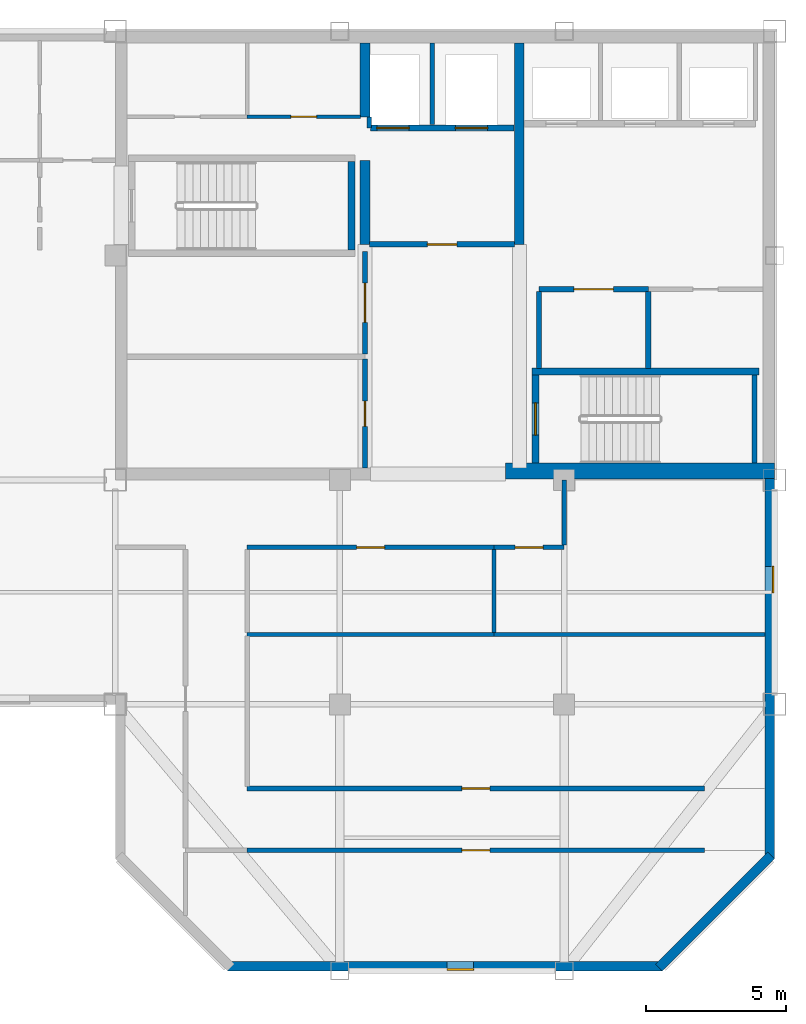
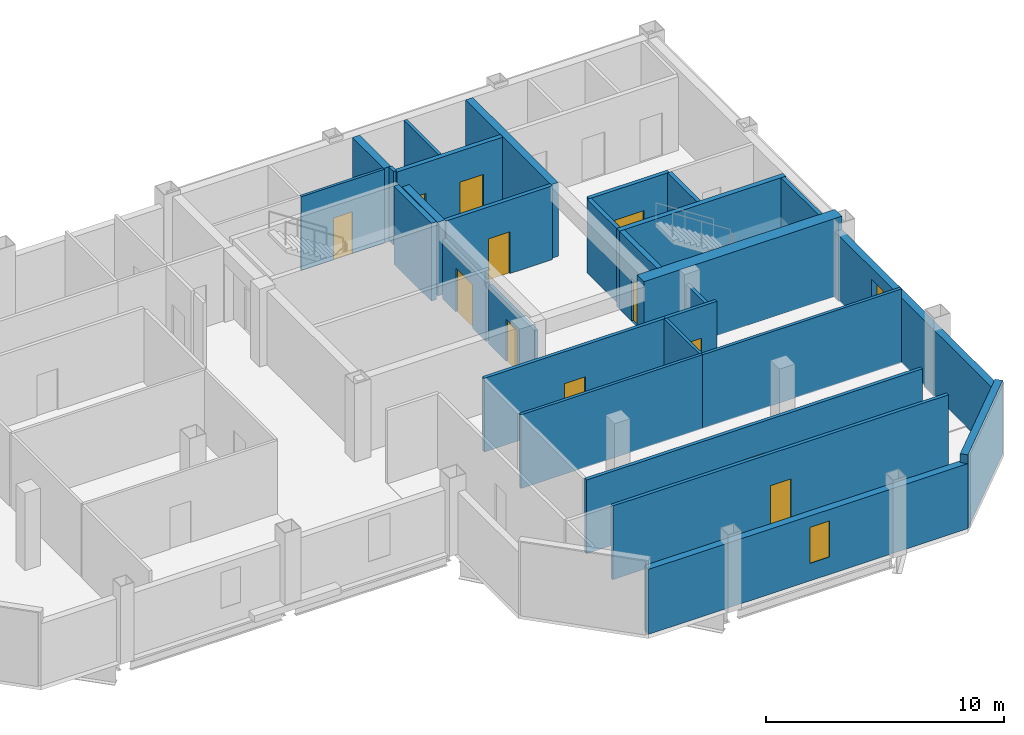
# One storey, part 3 of 7: 29 walls, 12 doors, 2 windows, 14 openings.
"""IFC4 building model written with IfcOpenShell, lengths in metres."""

from ifc_helpers import new_model, si_unit, direction, frame, frame_2d, origin, place, context, subcontext, project, spatial, rectangle, extrude, material, layer, layer_set, type_object, element, fill, save


model = new_model("IFC4")

# Units and contexts
model_context = context("Model", 3, precision=1e-05, world=origin(), true_north=direction((0.0, 1.0)))
body_context = subcontext(model_context, "Body", "Model", "MODEL_VIEW")
ifc_project = project(units=[si_unit("LENGTHUNIT", "METRE"), si_unit("AREAUNIT", "SQUARE_METRE"), si_unit("VOLUMEUNIT", "CUBIC_METRE"), si_unit("PLANEANGLEUNIT", "RADIAN"), si_unit("MASSUNIT", "GRAM", prefix="KILO")], contexts=[model_context])

# Site, building, storey
site_placement = place(None, origin())
site = spatial("IfcSite", under=ifc_project, at=site_placement, CompositionType="ELEMENT")
building_placement = place(site_placement, origin())
building = spatial("IfcBuilding", under=site, at=building_placement, Name="Qianrong Seaharbour Tower", CompositionType="ELEMENT")
storey_placement = place(building_placement, frame((0.0, 0.0, 347.199951171875)))
storey = spatial("IfcBuildingStorey", under=building, at=storey_placement, Name="L84", CompositionType="ELEMENT", Elevation=347.199951171875)

# Walls
ifc_material_1 = material(Name="Concrete C70/85", Category="concrete")
ifc_layer_1 = layer(ifc_material_1, 0.580078125)
ifc_layer_set_1 = layer_set([ifc_layer_1], Name="Concrete C70/85")
wall_type_1 = type_object("IfcWallType", Name="WALL-CORE-580", PredefinedType="SHEAR", material=ifc_layer_set_1)
wall_1_placement = place(storey_placement, frame((54.39990234375, 36.320068359375, 0.0), z_axis=(0.0, 0.0, 1.0), x_axis=(1.0, 0.0, 0.0)))
element("IfcWall", 1, at=wall_1_placement, inside=storey, type_object=wall_type_1, Name="L84 South Core Shear Wall S3", PredefinedType="SHEAR", context=body_context, shape_type="SweptSolid", body=[
    extrude(rectangle(XDim=9.60009765625, YDim=0.580078125, at=frame_2d((4.800048828125, 0.0))), origin(), (0.0, 0.0, 1.0), 4.0),
])
ifc_material_2 = material(Name="Concrete C50/60", Category="concrete")
ifc_layer_2 = layer(ifc_material_2, 0.35009765625)
ifc_layer_set_2 = layer_set([ifc_layer_2], Name="Concrete C50/60")
wall_type_2 = type_object("IfcWallType", Name="WALL-CORE-INT-350", PredefinedType="SHEAR", material=ifc_layer_set_2)
wall_2_placement = place(storey_placement, frame((49.39990234375, 44.39990234375, 0.0), z_axis=(0.0, 0.0, 1.0), x_axis=(0.0, 1.0, 0.0)))
element("IfcWall", 2, at=wall_2_placement, inside=storey, type_object=wall_type_2, Name="L84 Internal Core Shear Wall IW1N1", PredefinedType="SHEAR", context=body_context, shape_type="SweptSolid", body=[
    extrude(rectangle(XDim=3.0, YDim=0.35009765625, at=frame_2d((1.5, 0.0))), origin(), (0.0, 0.0, 1.0), 3.78515625),
])
wall_3_placement = place(storey_placement, frame((49.39990234375, 48.949951171875, 0.0), z_axis=(0.0, 0.0, 1.0), x_axis=(0.0, 1.0, 0.0)))
element("IfcWall", 3, at=wall_3_placement, inside=storey, type_object=wall_type_2, Name="L84 Internal Core Shear Wall IW1N2", PredefinedType="SHEAR", context=body_context, shape_type="SweptSolid", body=[
    extrude(rectangle(XDim=2.630126953125, YDim=0.35009765625, at=frame_2d((1.31494140625, 0.0))), origin(), (0.0, 0.0, 1.0), 3.78515625),
])
wall_4_placement = place(storey_placement, frame((54.89990234375, 44.39990234375, 0.0), z_axis=(0.0, 0.0, 1.0), x_axis=(0.0, 1.0, 0.0)))
element("IfcWall", 4, at=wall_4_placement, inside=storey, type_object=wall_type_2, Name="L84 Internal Core Shear Wall IW2N", PredefinedType="SHEAR", context=body_context, shape_type="SweptSolid", body=[
    extrude(rectangle(XDim=7.18017578125, YDim=0.35009765625, at=frame_2d((3.590087890625, 0.0))), origin(), (0.0, 0.0, 1.0), 3.78515625),
])

# Wall, opening, door
ifc_material_3 = material(Name="Fire-rated acoustic gypsum board partition")
ifc_layer_3 = layer(ifc_material_3, 0.1650390625)
ifc_layer_set_3 = layer_set([ifc_layer_3], Name="Fire-rated acoustic gypsum board partition")
wall_type_3 = type_object("IfcWallType", Name="WALL-CORR-PART-165", PredefinedType="PARTITIONING", material=ifc_layer_set_3)
wall_5_placement = place(storey_placement, frame((49.39990234375, 36.419921875, 0.0), z_axis=(0.0, 0.0, 1.0), x_axis=(0.0, 1.0, 0.0)))
wall_5 = element("IfcWall", 5, at=wall_5_placement, inside=storey, type_object=wall_type_3, Name="L84 Interior Partition Wall 010", PredefinedType="PARTITIONING", context=body_context, shape_type="SweptSolid", body=[
    extrude(rectangle(XDim=3.89306640625, YDim=0.1650390625, at=frame_2d((1.946533203125, 0.0))), origin(), (0.0, 0.0, 1.0), 3.027099609375),
])
opening_1_placement = place(wall_5_placement, frame((1.49658203125, 0.0, 0.0)))
opening_1 = element("IfcOpeningElement", 6, at=opening_1_placement, cuts=wall_5, Name="Opening DS-01", PredefinedType="OPENING", context=body_context, shape_type="SweptSolid", body=[
    extrude(rectangle(XDim=0.89990234375, YDim=2.14990234375, at=frame_2d((0.449951171875, 1.074951171875))), frame((0.0, 0.092529296875, 0.0), z_axis=(0.0, -1.0, 0.0), x_axis=(1.0, 0.0, 0.0)), (0.0, 0.0, 1.0), 0.18505859375),
])
ifc_material_4 = material(Name="Acoustic timber and galvanized steel fire door assembly", Category="steel")
door_type_1 = type_object("IfcDoorType", Name="DOOR-STORE-900x2150", OperationType="NOTDEFINED", PredefinedType="DOOR", material=ifc_material_4)
door_1_placement = place(opening_1_placement, origin())
door_1 = element("IfcDoor", 7, at=door_1_placement, inside=storey, type_object=door_type_1, Name="L84 Corporate Archive Room Door", OperationType="SINGLE_SWING_RIGHT", OverallHeight=2.14990234375, OverallWidth=0.89990234375, PredefinedType="DOOR", context=body_context, shape_type="SweptSolid", body=[
    extrude(rectangle(XDim=0.89990234375, YDim=2.14990234375, at=frame_2d((0.449951171875, 1.074951171875))), frame((0.0, 0.02490234375, 0.0), z_axis=(0.0, -1.0, 0.0), x_axis=(1.0, 0.0, 0.0)), (0.0, 0.0, 1.0), 0.050048828125),
])
fill(opening_1, door_1)

wall_6_placement = place(storey_placement, frame((54.0, 33.60009765625, 0.0), z_axis=(0.0, 0.0, 1.0), x_axis=(-1.0, 0.0, 0.0)))
wall_6 = element("IfcWall", 8, at=wall_6_placement, inside=storey, type_object=wall_type_3, Name="L84 Interior Partition Wall 025", PredefinedType="PARTITIONING", context=body_context, shape_type="SweptSolid", body=[
    extrude(rectangle(XDim=8.800048828125, YDim=0.1650390625, at=frame_2d((4.39990234375, 0.0))), origin(), (0.0, 0.0, 1.0), 3.78515625),
])
opening_2_placement = place(wall_6_placement, frame((3.89990234375, 0.0, 0.0)))
opening_2 = element("IfcOpeningElement", 9, at=opening_2_placement, cuts=wall_6, Name="Opening DO-01", PredefinedType="OPENING", context=body_context, shape_type="SweptSolid", body=[
    extrude(rectangle(XDim=1.0, YDim=2.14990234375, at=frame_2d((0.5, 1.074951171875))), frame((0.0, 0.092529296875, 0.0), z_axis=(0.0, -1.0, 0.0), x_axis=(1.0, 0.0, 0.0)), (0.0, 0.0, 1.0), 0.18505859375),
])
door_type_2 = type_object("IfcDoorType", Name="DOOR-OFFICE-1000x2150", OperationType="NOTDEFINED", PredefinedType="DOOR", material=ifc_material_4)
door_2_placement = place(opening_2_placement, origin())
door_2 = element("IfcDoor", 10, at=door_2_placement, inside=storey, type_object=door_type_2, Name="L84 Wellness Room 1 Door", OperationType="SINGLE_SWING_RIGHT", OverallHeight=2.14990234375, OverallWidth=1.0, PredefinedType="DOOR", context=body_context, shape_type="SweptSolid", body=[
    extrude(rectangle(XDim=1.0, YDim=2.14990234375, at=frame_2d((0.5, 1.074951171875))), frame((0.0, 0.02490234375, 0.0), z_axis=(0.0, -1.0, 0.0), x_axis=(1.0, 0.0, 0.0)), (0.0, 0.0, 1.0), 0.050048828125),
])
fill(opening_2, door_2)

# Wall
wall_7_placement = place(storey_placement, frame((56.5, 36.0, 0.0), z_axis=(0.0, 0.0, 1.0), x_axis=(0.0, -1.0, 0.0)))
element("IfcWall", 11, at=wall_7_placement, inside=storey, type_object=wall_type_3, Name="L84 Interior Partition Wall 026", PredefinedType="PARTITIONING", context=body_context, shape_type="SweptSolid", body=[
    extrude(rectangle(XDim=2.325439453125, YDim=0.1650390625, at=frame_2d((1.16259765625, 0.0))), origin(), (0.0, 0.0, 1.0), 3.177001953125),
])

# Wall, opening, door
wall_8_placement = place(storey_placement, frame((56.5, 33.60009765625, 0.0), z_axis=(0.0, 0.0, 1.0), x_axis=(-1.0, 0.0, 0.0)))
wall_8 = element("IfcWall", 12, at=wall_8_placement, inside=storey, type_object=wall_type_3, Name="L84 Interior Partition Wall 027", PredefinedType="PARTITIONING", context=body_context, shape_type="SweptSolid", body=[
    extrude(rectangle(XDim=2.5, YDim=0.1650390625, at=frame_2d((1.25, 0.0))), origin(), (0.0, 0.0, 1.0), 3.78515625),
])
opening_3_placement = place(wall_8_placement, frame((0.75, 0.0, 0.0)))
opening_3 = element("IfcOpeningElement", 13, at=opening_3_placement, cuts=wall_8, Name="Opening DO-01", PredefinedType="OPENING", context=body_context, shape_type="SweptSolid", body=[
    extrude(rectangle(XDim=1.0, YDim=2.14990234375, at=frame_2d((0.5, 1.074951171875))), frame((0.0, 0.092529296875, 0.0), z_axis=(0.0, -1.0, 0.0), x_axis=(1.0, 0.0, 0.0)), (0.0, 0.0, 1.0), 0.18505859375),
])
door_3_placement = place(opening_3_placement, origin())
door_3 = element("IfcDoor", 14, at=door_3_placement, inside=storey, type_object=door_type_2, Name="L84 Health Director Office 2 Door", OperationType="SINGLE_SWING_LEFT", OverallHeight=2.14990234375, OverallWidth=1.0, PredefinedType="DOOR", context=body_context, shape_type="SweptSolid", body=[
    extrude(rectangle(XDim=1.0, YDim=2.14990234375, at=frame_2d((0.5, 1.074951171875))), frame((0.0, 0.02490234375, 0.0), z_axis=(0.0, -1.0, 0.0), x_axis=(1.0, 0.0, 0.0)), (0.0, 0.0, 1.0), 0.050048828125),
])
fill(opening_3, door_3)

wall_9_placement = place(storey_placement, frame((61.5, 22.800048828125, 0.0), z_axis=(0.0, 0.0, 1.0), x_axis=(-1.0, 0.0, 0.0)))
wall_9 = element("IfcWall", 15, at=wall_9_placement, inside=storey, type_object=wall_type_3, Name="L84 Interior Partition Wall 033", PredefinedType="PARTITIONING", context=body_context, shape_type="SweptSolid", body=[
    extrude(rectangle(XDim=16.300048828125, YDim=0.1650390625, at=frame_2d((8.14990234375, 0.0))), origin(), (0.0, 0.0, 1.0), 3.78515625),
])
opening_4_placement = place(wall_9_placement, frame((7.64990234375, 0.0, 0.0)))
opening_4 = element("IfcOpeningElement", 16, at=opening_4_placement, cuts=wall_9, Name="Opening DO-01", PredefinedType="OPENING", context=body_context, shape_type="SweptSolid", body=[
    extrude(rectangle(XDim=1.0, YDim=2.14990234375, at=frame_2d((0.5, 1.074951171875))), frame((0.0, 0.092529296875, 0.0), z_axis=(0.0, -1.0, 0.0), x_axis=(1.0, 0.0, 0.0)), (0.0, 0.0, 1.0), 0.18505859375),
])
door_4_placement = place(opening_4_placement, origin())
door_4 = element("IfcDoor", 17, at=door_4_placement, inside=storey, type_object=door_type_2, Name="L84 South Tip Open-Plan Office Door", OperationType="SINGLE_SWING_RIGHT", OverallHeight=2.14990234375, OverallWidth=1.0, PredefinedType="DOOR", context=body_context, shape_type="SweptSolid", body=[
    extrude(rectangle(XDim=1.0, YDim=2.14990234375, at=frame_2d((0.5, 1.074951171875))), frame((0.0, 0.02490234375, 0.0), z_axis=(0.0, -1.0, 0.0), x_axis=(1.0, 0.0, 0.0)), (0.0, 0.0, 1.0), 0.050048828125),
])
fill(opening_4, door_4)

wall_10_placement = place(storey_placement, frame((45.199951171875, 25.0, 0.0), z_axis=(0.0, 0.0, 1.0), x_axis=(1.0, 0.0, 0.0)))
wall_10 = element("IfcWall", 18, at=wall_10_placement, inside=storey, type_object=wall_type_3, Name="L84 Interior Partition Wall 034", PredefinedType="PARTITIONING", context=body_context, shape_type="SweptSolid", body=[
    extrude(rectangle(XDim=16.300048828125, YDim=0.1650390625, at=frame_2d((8.14990234375, 0.0))), origin(), (0.0, 0.0, 1.0), 3.78515625),
])
opening_5_placement = place(wall_10_placement, frame((7.64990234375, 0.0, 0.0)))
opening_5 = element("IfcOpeningElement", 19, at=opening_5_placement, cuts=wall_10, Name="Opening DO-01", PredefinedType="OPENING", context=body_context, shape_type="SweptSolid", body=[
    extrude(rectangle(XDim=1.0, YDim=2.14990234375, at=frame_2d((0.5, 1.074951171875))), frame((0.0, 0.092529296875, 0.0), z_axis=(0.0, -1.0, 0.0), x_axis=(1.0, 0.0, 0.0)), (0.0, 0.0, 1.0), 0.18505859375),
])
door_5_placement = place(opening_5_placement, origin())
door_5 = element("IfcDoor", 20, at=door_5_placement, inside=storey, type_object=door_type_2, Name="L84 Operations Open-Plan Office Door", OperationType="SINGLE_SWING_LEFT", OverallHeight=2.14990234375, OverallWidth=1.0, PredefinedType="DOOR", context=body_context, shape_type="SweptSolid", body=[
    extrude(rectangle(XDim=1.0, YDim=2.14990234375, at=frame_2d((0.5, 1.074951171875))), frame((0.0, 0.02490234375, 0.0), z_axis=(0.0, -1.0, 0.0), x_axis=(1.0, 0.0, 0.0)), (0.0, 0.0, 1.0), 0.050048828125),
])
fill(opening_5, door_5)

# Wall, opening, window
ifc_material_5 = material(Name="Unitised buff brick on Precast concrete C45/55", Category="masonry")
ifc_layer_4 = layer(ifc_material_5, 0.340087890625)
ifc_layer_set_4 = layer_set([ifc_layer_4], Name="Unitised buff brick on Precast concrete C45/55")
wall_type_4 = type_object("IfcWallType", Name="WALL-EXT-BRICK-BUFF-340", PredefinedType="SOLIDWALL", material=ifc_layer_set_4)
wall_11_placement = place(storey_placement, frame((63.830078125, 36.050048828125, 0.0), z_axis=(0.0, 0.0, 1.0), x_axis=(0.0, -1.0, 0.0)))
wall_11 = element("IfcWall", 21, at=wall_11_placement, inside=storey, type_object=wall_type_4, Name="L84 Exterior Masonry Facade Wall EAST_WING", PredefinedType="SOLIDWALL", context=body_context, shape_type="SweptSolid", body=[
    extrude(rectangle(XDim=13.550048828125, YDim=0.340087890625, at=frame_2d((6.77490234375, 0.0))), origin(), (0.0, 0.0, 1.0), 3.3349609375),
])
opening_6_placement = place(wall_11_placement, frame((3.125, 0.0, 0.89990234375)))
opening_6 = element("IfcOpeningElement", 22, at=opening_6_placement, cuts=wall_11, Name="Opening WN-13", PredefinedType="OPENING", context=body_context, shape_type="SweptSolid", body=[
    extrude(rectangle(XDim=0.949951171875, YDim=1.85009765625, at=frame_2d((0.47509765625, 0.925048828125))), frame((0.0, 0.18017578125, 0.0), z_axis=(0.0, -1.0, 0.0), x_axis=(1.0, 0.0, 0.0)), (0.0, 0.0, 1.0), 0.360107421875),
])
ifc_material_6 = material(Name="Insulated low-e double glazing in thermally broken aluminium 6063-T6 frame", Category="aluminium")
window_type = type_object("IfcWindowType", Name="WIN-NARROW-950x1850", PartitioningType="SINGLE_PANEL", PredefinedType="WINDOW", material=ifc_material_6)
window_1_placement = place(opening_6_placement, origin())
window_1 = element("IfcWindow", 23, at=window_1_placement, inside=storey, type_object=window_type, Name="L84 Deep-Set Punched Window 06.01", OverallHeight=1.85009765625, OverallWidth=0.949951171875, PartitioningType="SINGLE_PANEL", PredefinedType="WINDOW", context=body_context, shape_type="SweptSolid", body=[
    extrude(rectangle(XDim=0.949951171875, YDim=1.85009765625, at=frame_2d((0.47509765625, 0.925048828125))), frame((0.0, 0.150146484375, 0.0), z_axis=(0.0, -1.0, 0.0), x_axis=(1.0, 0.0, 0.0)), (0.0, 0.0, 1.0), 0.06005859375),
])
fill(opening_6, window_1)

# Wall
wall_12_placement = place(storey_placement, frame((63.8798828125, 22.6201171875, 0.0), z_axis=(0.0, 0.0, 1.0), x_axis=(-0.707106781187, -0.707106781187, 0.0)))
element("IfcWall", 24, at=wall_12_placement, inside=storey, type_object=wall_type_4, Name="L84 Exterior Masonry Facade Wall E07", PredefinedType="SOLIDWALL", context=body_context, shape_type="SweptSolid", body=[
    extrude(rectangle(XDim=5.65673828125, YDim=0.340087890625, at=frame_2d((2.828369140625, 0.0))), origin(), (0.0, 0.0, 1.0), 3.78515625),
])

# Wall, opening, window
wall_13_placement = place(storey_placement, frame((60.0, 18.669921875, 0.0), z_axis=(0.0, 0.0, 1.0), x_axis=(-1.0, 0.0, 0.0)))
wall_13 = element("IfcWall", 25, at=wall_13_placement, inside=storey, type_object=wall_type_4, Name="L84 Exterior Masonry Facade Wall SOUTH_TIP", PredefinedType="SOLIDWALL", context=body_context, shape_type="SweptSolid", body=[
    extrude(rectangle(XDim=15.5, YDim=0.340087890625, at=frame_2d((7.75, 0.0))), origin(), (0.0, 0.0, 1.0), 3.3349609375),
])
opening_7_placement = place(wall_13_placement, frame((6.72509765625, 0.0, 0.89990234375)))
opening_7 = element("IfcOpeningElement", 26, at=opening_7_placement, cuts=wall_13, Name="Opening WN-13", PredefinedType="OPENING", context=body_context, shape_type="SweptSolid", body=[
    extrude(rectangle(XDim=0.949951171875, YDim=1.85009765625, at=frame_2d((0.47509765625, 0.925048828125))), frame((0.0, 0.18017578125, 0.0), z_axis=(0.0, -1.0, 0.0), x_axis=(1.0, 0.0, 0.0)), (0.0, 0.0, 1.0), 0.360107421875),
])
window_2_placement = place(opening_7_placement, origin())
window_2 = element("IfcWindow", 27, at=window_2_placement, inside=storey, type_object=window_type, Name="L84 Deep-Set Punched Window 08.02", OverallHeight=1.85009765625, OverallWidth=0.949951171875, PartitioningType="SINGLE_PANEL", PredefinedType="WINDOW", context=body_context, shape_type="SweptSolid", body=[
    extrude(rectangle(XDim=0.949951171875, YDim=1.85009765625, at=frame_2d((0.47509765625, 0.925048828125))), frame((0.0, 0.150146484375, 0.0), z_axis=(0.0, -1.0, 0.0), x_axis=(1.0, 0.0, 0.0)), (0.0, 0.0, 1.0), 0.06005859375),
])
fill(opening_7, window_2)

# Wall, opening, door
ifc_material_7 = material(Name="Double fire-rated gypsum board acoustic partition")
ifc_layer_5 = layer(ifc_material_7, 0.18994140625)
ifc_layer_set_5 = layer_set([ifc_layer_5], Name="Double fire-rated gypsum board acoustic partition")
wall_type_5 = type_object("IfcWallType", Name="WALL-FIRE-PART-190", PredefinedType="PARTITIONING", material=ifc_layer_set_5)
wall_14_placement = place(storey_placement, frame((54.73291015625, 44.39990234375, 0.0), z_axis=(0.0, 0.0, 1.0), x_axis=(-1.0, 0.0, 0.0)))
wall_14 = element("IfcWall", 28, at=wall_14_placement, inside=storey, type_object=wall_type_5, Name="L84 Interior Partition Wall 009", PredefinedType="PARTITIONING", context=body_context, shape_type="SweptSolid", body=[
    extrude(rectangle(XDim=5.166015625, YDim=0.18994140625, at=frame_2d((2.5830078125, 0.0))), origin(), (0.0, 0.0, 1.0), 3.78515625),
])
opening_8_placement = place(wall_14_placement, frame((2.05810546875, 0.0, 0.0)))
opening_8 = element("IfcOpeningElement", 29, at=opening_8_placement, cuts=wall_14, Name="Opening DC-01", PredefinedType="OPENING", context=body_context, shape_type="SweptSolid", body=[
    extrude(rectangle(XDim=1.050048828125, YDim=2.14990234375, at=frame_2d((0.52490234375, 1.074951171875))), frame((0.0, 0.10498046875, 0.0), z_axis=(0.0, -1.0, 0.0), x_axis=(1.0, 0.0, 0.0)), (0.0, 0.0, 1.0), 0.2099609375),
])
door_type_3 = type_object("IfcDoorType", Name="DOOR-CORR-FD60-1050x2150", OperationType="NOTDEFINED", PredefinedType="DOOR", material=ifc_material_4)
door_6_placement = place(opening_8_placement, origin())
door_6 = element("IfcDoor", 30, at=door_6_placement, inside=storey, type_object=door_type_3, Name="L84 Firefighting Lift Lobby Door", OperationType="SINGLE_SWING_LEFT", OverallHeight=2.14990234375, OverallWidth=1.050048828125, PredefinedType="DOOR", context=body_context, shape_type="SweptSolid", body=[
    extrude(rectangle(XDim=1.050048828125, YDim=2.14990234375, at=frame_2d((0.52490234375, 1.074951171875))), frame((0.0, 0.02490234375, 0.0), z_axis=(0.0, -1.0, 0.0), x_axis=(1.0, 0.0, 0.0)), (0.0, 0.0, 1.0), 0.050048828125),
])
fill(opening_8, door_6)

wall_15_placement = place(storey_placement, frame((49.39990234375, 40.487060546875, 0.0), z_axis=(0.0, 0.0, 1.0), x_axis=(0.0, 1.0, 0.0)))
wall_15 = element("IfcWall", 31, at=wall_15_placement, inside=storey, type_object=wall_type_5, Name="L84 Interior Partition Wall 011", PredefinedType="PARTITIONING", context=body_context, shape_type="SweptSolid", body=[
    extrude(rectangle(XDim=3.662841796875, YDim=0.18994140625, at=frame_2d((1.83154296875, 0.0))), origin(), (0.0, 0.0, 1.0), 3.027099609375),
])
opening_9_placement = place(wall_15_placement, frame((1.131591796875, 0.0, 0.0)))
opening_9 = element("IfcOpeningElement", 32, at=opening_9_placement, cuts=wall_15, Name="Opening DP-01", PredefinedType="OPENING", context=body_context, shape_type="SweptSolid", body=[
    extrude(rectangle(XDim=1.39990234375, YDim=2.25, at=frame_2d((0.699951171875, 1.125))), frame((0.0, 0.10498046875, 0.0), z_axis=(0.0, -1.0, 0.0), x_axis=(1.0, 0.0, 0.0)), (0.0, 0.0, 1.0), 0.2099609375),
])
door_type_4 = type_object("IfcDoorType", Name="DOOR-PLANT-PAIR-1400x2250", OperationType="DOUBLE_DOOR_SINGLE_SWING", PredefinedType="DOOR", material=ifc_material_4)
door_7_placement = place(opening_9_placement, origin())
door_7 = element("IfcDoor", 33, at=door_7_placement, inside=storey, type_object=door_type_4, Name="L84 Telecom Server Room Door", OperationType="DOUBLE_DOOR_SINGLE_SWING", OverallHeight=2.25, OverallWidth=1.39990234375, PredefinedType="DOOR", context=body_context, shape_type="SweptSolid", body=[
    extrude(rectangle(XDim=1.39990234375, YDim=2.25, at=frame_2d((0.699951171875, 1.125))), frame((0.0, 0.02490234375, 0.0), z_axis=(0.0, -1.0, 0.0), x_axis=(1.0, 0.0, 0.0)), (0.0, 0.0, 1.0), 0.050048828125),
])
fill(opening_9, door_7)

# Wall
wall_16_placement = place(storey_placement, frame((55.60009765625, 42.712890625, 0.0), z_axis=(0.0, 0.0, 1.0), x_axis=(0.0, -1.0, 0.0)))
element("IfcWall", 34, at=wall_16_placement, inside=storey, type_object=wall_type_5, Name="L84 Interior Partition Wall 012", PredefinedType="PARTITIONING", context=body_context, shape_type="SweptSolid", body=[
    extrude(rectangle(XDim=2.73095703125, YDim=0.18994140625, at=frame_2d((1.365478515625, 0.0))), origin(), (0.0, 0.0, 1.0), 3.78515625),
])

# Wall, opening, door
wall_17_placement = place(storey_placement, frame((59.5, 42.800048828125, 0.0), z_axis=(0.0, 0.0, 1.0), x_axis=(-1.0, 0.0, 0.0)))
wall_17 = element("IfcWall", 35, at=wall_17_placement, inside=storey, type_object=wall_type_5, Name="L84 Interior Partition Wall 014", PredefinedType="PARTITIONING", context=body_context, shape_type="SweptSolid", body=[
    extrude(rectangle(XDim=3.89990234375, YDim=0.18994140625, at=frame_2d((1.949951171875, 0.0))), origin(), (0.0, 0.0, 1.0), 3.78515625),
])
opening_10_placement = place(wall_17_placement, frame((1.25, 0.0, 0.0)))
opening_10 = element("IfcOpeningElement", 36, at=opening_10_placement, cuts=wall_17, Name="Opening DP-01", PredefinedType="OPENING", context=body_context, shape_type="SweptSolid", body=[
    extrude(rectangle(XDim=1.39990234375, YDim=2.25, at=frame_2d((0.699951171875, 1.125))), frame((0.0, 0.10498046875, 0.0), z_axis=(0.0, -1.0, 0.0), x_axis=(1.0, 0.0, 0.0)), (0.0, 0.0, 1.0), 0.2099609375),
])
door_8_placement = place(opening_10_placement, origin())
door_8 = element("IfcDoor", 37, at=door_8_placement, inside=storey, type_object=door_type_4, Name="L84 Electrical Substation Door", OperationType="DOUBLE_DOOR_SINGLE_SWING", OverallHeight=2.25, OverallWidth=1.39990234375, PredefinedType="DOOR", context=body_context, shape_type="SweptSolid", body=[
    extrude(rectangle(XDim=1.39990234375, YDim=2.25, at=frame_2d((0.699951171875, 1.125))), frame((0.0, 0.02490234375, 0.0), z_axis=(0.0, -1.0, 0.0), x_axis=(1.0, 0.0, 0.0)), (0.0, 0.0, 1.0), 0.050048828125),
])
fill(opening_10, door_8)

# Walls
wall_18_placement = place(storey_placement, frame((59.5, 42.712890625, 0.0), z_axis=(0.0, 0.0, 1.0), x_axis=(0.0, -1.0, 0.0)))
element("IfcWall", 38, at=wall_18_placement, inside=storey, type_object=wall_type_5, Name="L84 Interior Partition Wall 017", PredefinedType="PARTITIONING", context=body_context, shape_type="SweptSolid", body=[
    extrude(rectangle(XDim=2.73095703125, YDim=0.18994140625, at=frame_2d((1.365478515625, 0.0))), origin(), (0.0, 0.0, 1.0), 3.78515625),
])
ifc_material_8 = material(Name="Acoustic gypsum board stud partition")
ifc_layer_6 = layer(ifc_material_8, 0.14501953125)
ifc_layer_set_6 = layer_set([ifc_layer_6], Name="Acoustic gypsum board stud partition")
wall_type_6 = type_object("IfcWallType", Name="WALL-OFFICE-PART-145", PredefinedType="PARTITIONING", material=ifc_layer_set_6)
wall_19_placement = place(storey_placement, frame((45.199951171875, 30.5, 0.0), z_axis=(0.0, 0.0, 1.0), x_axis=(1.0, 0.0, 0.0)))
element("IfcWall", 39, at=wall_19_placement, inside=storey, type_object=wall_type_6, Name="L84 Interior Partition Wall 036", PredefinedType="PARTITIONING", context=body_context, shape_type="SweptSolid", body=[
    extrude(rectangle(XDim=8.800048828125, YDim=0.14501953125, at=frame_2d((4.39990234375, 0.0))), origin(), (0.0, 0.0, 1.0), 3.78515625),
])
wall_20_placement = place(storey_placement, frame((54.0, 30.5, 0.0), z_axis=(0.0, 0.0, 1.0), x_axis=(1.0, 0.0, 0.0)))
element("IfcWall", 40, at=wall_20_placement, inside=storey, type_object=wall_type_6, Name="L84 Interior Partition Wall 037", PredefinedType="PARTITIONING", context=body_context, shape_type="SweptSolid", body=[
    extrude(rectangle(XDim=9.66796875, YDim=0.14501953125, at=frame_2d((4.833984375, 0.0))), origin(), (0.0, 0.0, 1.0), 3.78515625),
])
wall_21_placement = place(storey_placement, frame((54.0, 33.525390625, 0.0), z_axis=(0.0, 0.0, 1.0), x_axis=(0.0, -1.0, 0.0)))
element("IfcWall", 41, at=wall_21_placement, inside=storey, type_object=wall_type_6, Name="L84 Interior Partition Wall 038", PredefinedType="PARTITIONING", context=body_context, shape_type="SweptSolid", body=[
    extrude(rectangle(XDim=2.9609375, YDim=0.14501953125, at=frame_2d((1.48046875, 0.0))), origin(), (0.0, 0.0, 1.0), 3.78515625),
])
ifc_material_9 = material(Name="Fire-rated gypsum board on steel studs", Category="steel")
ifc_layer_7 = layer(ifc_material_9, 0.14990234375)
ifc_layer_set_7 = layer_set([ifc_layer_7], Name="Fire-rated gypsum board on steel studs")
wall_type_7 = type_object("IfcWallType", Name="WALL-SHAFT-DIV-150", PredefinedType="PARTITIONING", material=ifc_layer_set_7)
wall_22_placement = place(storey_placement, frame((51.800048828125, 48.669921875, 0.0), z_axis=(0.0, 0.0, 1.0), x_axis=(0.0, 1.0, 0.0)))
element("IfcWall", 42, at=wall_22_placement, inside=storey, type_object=wall_type_7, Name="L84 Firefighting Lift Shaft Divider Wall", PredefinedType="PARTITIONING", context=body_context, shape_type="SweptSolid", body=[
    extrude(rectangle(XDim=2.91015625, YDim=0.14990234375, at=frame_2d((1.455078125, 0.0))), origin(), (0.0, 0.0, 1.0), 3.78515625),
])
wall_23_placement = place(storey_placement, frame((49.550048828125, 48.550048828125, 0.0), z_axis=(0.0, 0.0, 1.0), x_axis=(0.0, 1.0, 0.0)))
element("IfcWall", 43, at=wall_23_placement, inside=storey, type_object=wall_type_7, Name="L84 Firefighting Lift Shaft West Return Wall", PredefinedType="PARTITIONING", context=body_context, shape_type="SweptSolid", body=[
    extrude(rectangle(XDim=0.39990234375, YDim=0.14990234375, at=frame_2d((0.199951171875, 0.0))), origin(), (0.0, 0.0, 1.0), 3.78515625),
])

# Wall, openings, doors
ifc_layer_8 = layer(ifc_material_9, 0.219970703125)
ifc_layer_set_8 = layer_set([ifc_layer_8], Name="Fire-rated gypsum board on steel studs")
wall_type_8 = type_object("IfcWallType", Name="WALL-SHAFT-GYP220", PredefinedType="PARTITIONING", material=ifc_layer_set_8)
wall_24_placement = place(storey_placement, frame((54.7099609375, 48.550048828125, 0.0), z_axis=(0.0, 0.0, 1.0), x_axis=(-1.0, 0.0, 0.0)))
wall_24 = element("IfcWall", 44, at=wall_24_placement, inside=storey, type_object=wall_type_8, Name="L84 Firefighting Lift Shaft Front Wall", PredefinedType="PARTITIONING", context=body_context, shape_type="SweptSolid", body=[
    extrude(rectangle(XDim=5.119873046875, YDim=0.219970703125, at=frame_2d((2.56005859375, 0.0))), origin(), (0.0, 0.0, 1.0), 3.78515625),
])
opening_11_placement = place(wall_24_placement, frame((3.735107421875, 0.0, 0.0)))
opening_11 = element("IfcOpeningElement", 45, at=opening_11_placement, cuts=wall_24, Name="Opening LD-01", PredefinedType="OPENING", context=body_context, shape_type="SweptSolid", body=[
    extrude(rectangle(XDim=1.14990234375, YDim=2.199951171875, at=frame_2d((0.574951171875, 1.10009765625))), frame((0.0, 0.1201171875, 0.0), z_axis=(0.0, -1.0, 0.0), x_axis=(1.0, 0.0, 0.0)), (0.0, 0.0, 1.0), 0.239990234375),
])
opening_12_placement = place(wall_24_placement, frame((0.93505859375, 0.0, 0.0)))
opening_12 = element("IfcOpeningElement", 46, at=opening_12_placement, cuts=wall_24, Name="Opening LD-01", PredefinedType="OPENING", context=body_context, shape_type="SweptSolid", body=[
    extrude(rectangle(XDim=1.14990234375, YDim=2.199951171875, at=frame_2d((0.574951171875, 1.10009765625))), frame((0.0, 0.1201171875, 0.0), z_axis=(0.0, -1.0, 0.0), x_axis=(1.0, 0.0, 0.0)), (0.0, 0.0, 1.0), 0.239990234375),
])
ifc_material_10 = material(Name="Stainless steel SUS316L bi-parting lift landing door", Category="steel")
door_type_5 = type_object("IfcDoorType", Name="DOOR-LIFT-FF-1150x2200", OperationType="DOUBLE_DOOR_SLIDING", PredefinedType="DOOR", material=ifc_material_10)
door_9_placement = place(opening_11_placement, origin())
door_9 = element("IfcDoor", 47, at=door_9_placement, inside=storey, type_object=door_type_5, Name="L84 FL-1 Firefighting Lift Landing Door", OperationType="DOUBLE_DOOR_SLIDING", OverallHeight=2.199951171875, OverallWidth=1.14990234375, PredefinedType="DOOR", context=body_context, shape_type="SweptSolid", body=[
    extrude(rectangle(XDim=1.14990234375, YDim=2.199951171875, at=frame_2d((0.574951171875, 1.10009765625))), frame((0.0, 0.02490234375, 0.0), z_axis=(0.0, -1.0, 0.0), x_axis=(1.0, 0.0, 0.0)), (0.0, 0.0, 1.0), 0.050048828125),
])
fill(opening_11, door_9)
door_10_placement = place(opening_12_placement, origin())
door_10 = element("IfcDoor", 48, at=door_10_placement, inside=storey, type_object=door_type_5, Name="L84 FL-2 Firefighting Lift Landing Door", OperationType="DOUBLE_DOOR_SLIDING", OverallHeight=2.199951171875, OverallWidth=1.14990234375, PredefinedType="DOOR", context=body_context, shape_type="SweptSolid", body=[
    extrude(rectangle(XDim=1.14990234375, YDim=2.199951171875, at=frame_2d((0.574951171875, 1.10009765625))), frame((0.0, 0.02490234375, 0.0), z_axis=(0.0, -1.0, 0.0), x_axis=(1.0, 0.0, 0.0)), (0.0, 0.0, 1.0), 0.050048828125),
])
fill(opening_12, door_10)

# Walls
ifc_layer_9 = layer(ifc_material_2, 0.239990234375)
ifc_layer_set_9 = layer_set([ifc_layer_9], Name="Concrete C50/60")
wall_type_9 = type_object("IfcWallType", Name="WALL-SHAFT-RC240", PredefinedType="SOLIDWALL", material=ifc_layer_set_9)
wall_25_placement = place(storey_placement, frame((48.919921875, 44.199951171875, 0.0), z_axis=(0.0, 0.0, 1.0), x_axis=(0.0, 1.0, 0.0)))
element("IfcWall", 49, at=wall_25_placement, inside=storey, type_object=wall_type_9, Name="L84 ST-1 Structural Stair Core Wall E", PredefinedType="SOLIDWALL", context=body_context, shape_type="SweptSolid", body=[
    extrude(rectangle(XDim=3.150146484375, YDim=0.239990234375, at=frame_2d((1.5751953125, 0.0))), origin(), (0.0, 0.0, 1.0), 4.0),
])
wall_26_placement = place(storey_placement, frame((55.360107421875, 39.8701171875, 0.0), z_axis=(0.0, 0.0, 1.0), x_axis=(1.0, 0.0, 0.0)))
element("IfcWall", 50, at=wall_26_placement, inside=storey, type_object=wall_type_9, Name="L84 ST-2 Structural Stair Core Wall N", PredefinedType="SOLIDWALL", context=body_context, shape_type="SweptSolid", body=[
    extrude(rectangle(XDim=8.079833984375, YDim=0.239990234375, at=frame_2d((4.0400390625, 0.0))), origin(), (0.0, 0.0, 1.0), 4.0),
])

# Wall, opening, door
wall_27_placement = place(storey_placement, frame((55.47998046875, 39.75, 0.0), z_axis=(0.0, 0.0, 1.0), x_axis=(0.0, -1.0, 0.0)))
wall_27 = element("IfcWall", 51, at=wall_27_placement, inside=storey, type_object=wall_type_9, Name="L84 ST-2 Structural Stair Core Wall W", PredefinedType="SOLIDWALL", context=body_context, shape_type="SweptSolid", body=[
    extrude(rectangle(XDim=3.14990234375, YDim=0.239990234375, at=frame_2d((1.574951171875, 0.0))), origin(), (0.0, 0.0, 1.0), 4.0),
])
opening_13_placement = place(wall_27_placement, frame((1.0, 0.0, 0.0)))
opening_13 = element("IfcOpeningElement", 52, at=opening_13_placement, cuts=wall_27, Name="Opening SD-01", PredefinedType="OPENING", context=body_context, shape_type="SweptSolid", body=[
    extrude(rectangle(XDim=1.14990234375, YDim=2.199951171875, at=frame_2d((0.574951171875, 1.10009765625))), frame((0.0, 0.1298828125, 0.0), z_axis=(0.0, -1.0, 0.0), x_axis=(1.0, 0.0, 0.0)), (0.0, 0.0, 1.0), 0.260009765625),
])
door_type_6 = type_object("IfcDoorType", Name="DOOR-STAIR-FD60-1150x2200", OperationType="NOTDEFINED", PredefinedType="DOOR", material=ifc_material_4)
door_11_placement = place(opening_13_placement, origin())
door_11 = element("IfcDoor", 53, at=door_11_placement, inside=storey, type_object=door_type_6, Name="L84 ST-2 Protected Stair Door", OperationType="SINGLE_SWING_LEFT", OverallHeight=2.199951171875, OverallWidth=1.14990234375, PredefinedType="DOOR", context=body_context, shape_type="SweptSolid", body=[
    extrude(rectangle(XDim=1.14990234375, YDim=2.199951171875, at=frame_2d((0.574951171875, 1.10009765625))), frame((0.0, 0.02490234375, 0.0), z_axis=(0.0, -1.0, 0.0), x_axis=(1.0, 0.0, 0.0)), (0.0, 0.0, 1.0), 0.050048828125),
])
fill(opening_13, door_11)

# Wall
wall_28_placement = place(storey_placement, frame((63.2900390625, 36.60009765625, 0.0), z_axis=(0.0, 0.0, 1.0), x_axis=(0.0, 1.0, 0.0)))
element("IfcWall", 54, at=wall_28_placement, inside=storey, type_object=wall_type_9, Name="L84 ST-2 Structural Stair Core Wall E", PredefinedType="SOLIDWALL", context=body_context, shape_type="SweptSolid", body=[
    extrude(rectangle(XDim=3.14990234375, YDim=0.179931640625, at=frame_2d((1.574951171875, 0.0))), origin(), (0.0, 0.0, 1.0), 4.0),
])

# Wall, opening, door
ifc_material_11 = material(Name="Water-resistant cement board sanitary partition")
ifc_layer_10 = layer(ifc_material_11, 0.1298828125)
ifc_layer_set_10 = layer_set([ifc_layer_10], Name="Water-resistant cement board sanitary partition")
wall_type_10 = type_object("IfcWallType", Name="WALL-WET-PART-130", PredefinedType="PARTITIONING", material=ifc_layer_set_10)
wall_29_placement = place(storey_placement, frame((45.199951171875, 48.949951171875, 0.0), z_axis=(0.0, 0.0, 1.0), x_axis=(1.0, 0.0, 0.0)))
wall_29 = element("IfcWall", 55, at=wall_29_placement, inside=storey, type_object=wall_type_10, Name="L84 Interior Partition Wall 008", PredefinedType="PARTITIONING", context=body_context, shape_type="SweptSolid", body=[
    extrude(rectangle(XDim=4.032958984375, YDim=0.1298828125, at=frame_2d((2.0166015625, 0.0))), origin(), (0.0, 0.0, 1.0), 3.78515625),
])
opening_14_placement = place(wall_29_placement, frame((1.556396484375, 0.0, 0.0)))
opening_14 = element("IfcOpeningElement", 56, at=opening_14_placement, cuts=wall_29, Name="Opening DW-01", PredefinedType="OPENING", context=body_context, shape_type="SweptSolid", body=[
    extrude(rectangle(XDim=0.919921875, YDim=2.14990234375, at=frame_2d((0.4599609375, 1.074951171875))), frame((0.0, 0.074951171875, 0.0), z_axis=(0.0, -1.0, 0.0), x_axis=(1.0, 0.0, 0.0)), (0.0, 0.0, 1.0), 0.14990234375),
])
door_type_7 = type_object("IfcDoorType", Name="DOOR-WC-920x2150", OperationType="NOTDEFINED", PredefinedType="DOOR", material=ifc_material_4)
door_12_placement = place(opening_14_placement, origin())
door_12 = element("IfcDoor", 57, at=door_12_placement, inside=storey, type_object=door_type_7, Name="L84 Female Restroom WC Door", OperationType="SINGLE_SWING_RIGHT", OverallHeight=2.14990234375, OverallWidth=0.919921875, PredefinedType="DOOR", context=body_context, shape_type="SweptSolid", body=[
    extrude(rectangle(XDim=0.919921875, YDim=2.14990234375, at=frame_2d((0.4599609375, 1.074951171875))), frame((0.0, 0.02490234375, 0.0), z_axis=(0.0, -1.0, 0.0), x_axis=(1.0, 0.0, 0.0)), (0.0, 0.0, 1.0), 0.050048828125),
])
fill(opening_14, door_12)

save(model, "model.ifc")
